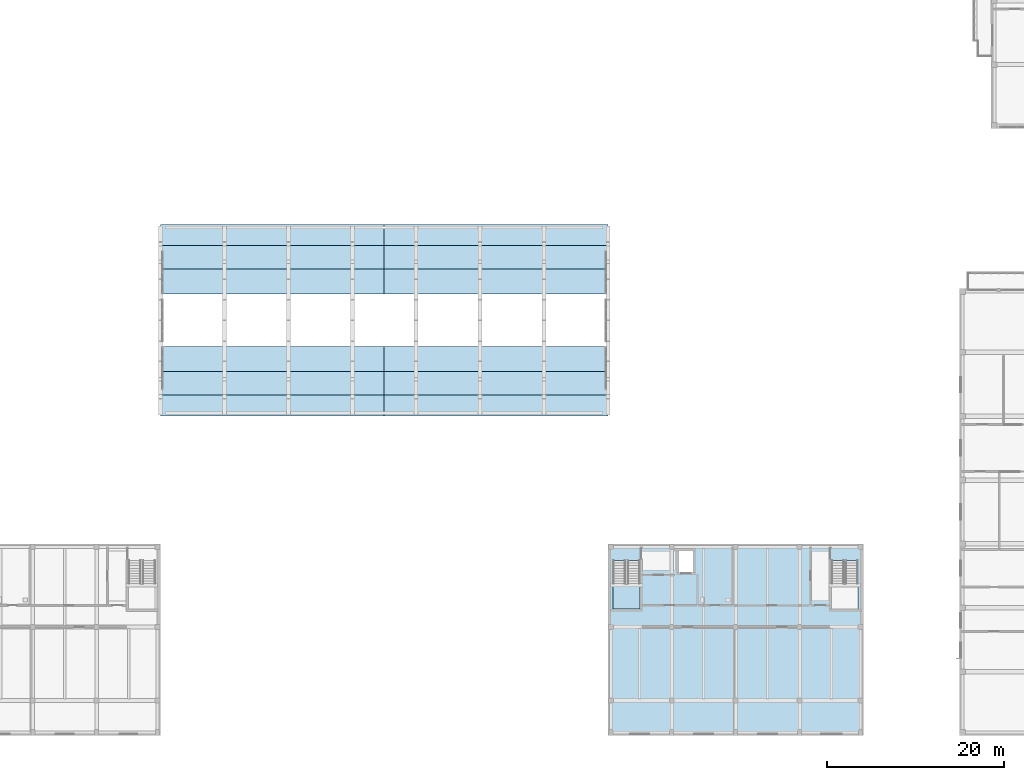
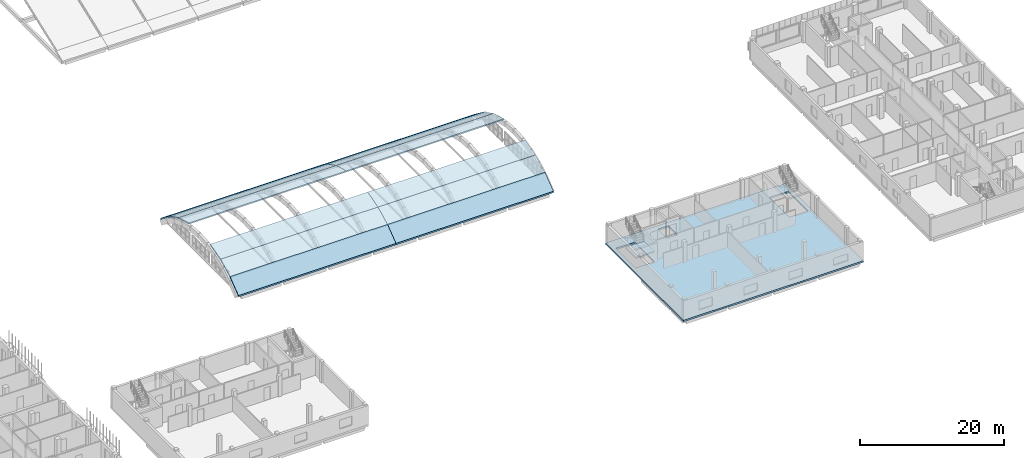
# One storey, part 30 of 73: 14 slabs, 2 elements without a shape of their own.
"""IFC4 building model written with IfcOpenShell, lengths in metres."""

from ifc_helpers import new_model, si_unit, derived_unit, direction, frame, origin, place, context, subcontext, project, spatial, polyline, outline, extrude, material, layer, layer_set, type_object, element, aggregate, save


model = new_model("IFC4")

# Units and contexts
model_context = context("Model", 3, precision=1e-05, world=origin(), true_north=direction((0.0, 1.0)))
body_context = subcontext(model_context, "Body", "Model", "MODEL_VIEW")
ifc_project = project(units=[si_unit("LENGTHUNIT", "METRE"), si_unit("AREAUNIT", "SQUARE_METRE"), si_unit("VOLUMEUNIT", "CUBIC_METRE"), si_unit("PLANEANGLEUNIT", "RADIAN"), si_unit("MASSUNIT", "GRAM", prefix="KILO"), derived_unit("THERMALTRANSMITTANCEUNIT", [(si_unit("MASSUNIT", "GRAM", prefix="KILO"), 1), (si_unit("TIMEUNIT", "SECOND"), -3), (si_unit("THERMODYNAMICTEMPERATUREUNIT", "KELVIN"), -1)])], contexts=[model_context])

# Site, building, storey
site_placement = place(None, origin())
site = spatial("IfcSite", under=ifc_project, at=site_placement, CompositionType="ELEMENT")
building_placement = place(site_placement, origin())
building = spatial("IfcBuilding", under=site, at=building_placement, Name="Ochrekiln Boulevard Commons", CompositionType="ELEMENT")
storey_placement = place(building_placement, frame((0.0, 0.0, 8.574951171875)))
storey = spatial("IfcBuildingStorey", under=building, at=storey_placement, Name="L02", CompositionType="ELEMENT", Elevation=8.574951171875)

# Slab
ifc_material = material(Name="Concrete C35/45", Category="concrete")
ifc_layer_1 = layer(ifc_material, 0.27490234375)
ifc_layer_set_1 = layer_set([ifc_layer_1], Name="Concrete C35/45")
slab_type_1 = type_object("IfcSlabType", Name="SLB-ARC-275", PredefinedType="FLOOR", material=ifc_layer_set_1)
slab_1_placement = place(storey_placement, frame((0.0, 0.0, -0.27490234375)))
element("IfcSlab", 1, at=slab_1_placement, inside=storey, type_object=slab_type_1, Name="East Boulevard Arcade L02 Floor Slab", PredefinedType="FLOOR", context=body_context, shape_type="SweptSolid", body=[
    extrude(outline(polyline([(108.0, 0.0), (136.800048828125, 0.0), (136.800048828125, 21.60009765625), (108.0, 21.60009765625), (108.0, 0.0)]), holes=[polyline([(108.60009765625, 19.7294921875), (108.60009765625, 14.280029296875), (111.60009765625, 14.280029296875), (111.60009765625, 19.7294921875), (108.60009765625, 19.7294921875)]), polyline([(133.199951171875, 19.7294921875), (133.199951171875, 14.280029296875), (136.199951171875, 14.280029296875), (136.199951171875, 19.7294921875), (133.199951171875, 19.7294921875)]), polyline([(115.949951171875, 18.35009765625), (117.64990234375, 18.35009765625), (117.64990234375, 20.85009765625), (115.949951171875, 20.85009765625), (115.949951171875, 18.35009765625)])]), origin(), (0.0, 0.0, 1.0), 0.27490234375),
])

# Stair, slab
stair_type = type_object("IfcStairType", Name="STR-DL-350", PredefinedType="TWO_STRAIGHT_RUN_STAIR", material=ifc_material)
stair_placement = place(storey_placement, origin())
stair = element("IfcStair", 2, at=stair_placement, inside=storey, type_object=stair_type, Name="L02 Enclosed Exit Stair ST-E1", PredefinedType="TWO_STRAIGHT_RUN_STAIR")
ifc_layer_2 = layer(ifc_material, 0.199951171875)
ifc_layer_set_2 = layer_set([ifc_layer_2], Name="Concrete C35/45")
slab_type_2 = type_object("IfcSlabType", Name="SLB-LND-200", PredefinedType="LANDING", material=ifc_layer_set_2)
slab_2_placement = place(storey_placement, frame((0.0, 0.0, 1.550048828125)))
slab_2 = element("IfcSlab", 3, at=slab_2_placement, type_object=slab_type_2, Name="ST-E1 landing 1", PredefinedType="LANDING", context=body_context, shape_type="SweptSolid", body=[
    extrude(outline(polyline([(108.60009765625, 17.1201171875), (108.60009765625, 14.280029296875), (111.60009765625, 14.280029296875), (111.60009765625, 17.1201171875), (108.60009765625, 17.1201171875)])), origin(), (0.0, 0.0, 1.0), 0.199951171875),
])
aggregate(stair, [slab_2])

# Roof, slabs
roof_type = type_object("IfcRoofType", Name="ROOF-BARREL", PredefinedType="BARREL_ROOF", material=ifc_material)
roof_placement = place(storey_placement, origin())
roof = element("IfcRoof", 4, at=roof_placement, inside=storey, type_object=roof_type, Name="Community Hall Seven-Bay Reinforced Concrete Barrel-Vault Roof", PredefinedType="BARREL_ROOF")
ifc_layer_3 = layer(ifc_material, 0.199951171875)
ifc_layer_set_3 = layer_set([ifc_layer_3], Name="Concrete C35/45")
slab_type_3 = type_object("IfcSlabType", Name="SLB-VAULT-200", PredefinedType="ROOF", material=ifc_layer_set_3)
slab_3_placement = place(storey_placement, frame((57.60009765625, 36.0, 0.0), z_axis=(1.0, 0.0, 0.0), x_axis=(0.0, 1.0, 0.0)))
slab_3 = element("IfcSlab", 5, at=slab_3_placement, type_object=slab_type_3, Name="Community Hall Barrel Vault Shell Facet 1.1", PredefinedType="ROOF", context=body_context, shape_type="SweptSolid", body=[
    extrude(outline(polyline([(0.0, 0.0), (2.3583984375, 1.789306640625), (2.3583984375, 1.538330078125), (0.0, -0.2509765625), (0.0, 0.0)])), origin(), (0.0, 0.0, 1.0), 25.199951171875),
])
slab_4_placement = place(storey_placement, frame((57.60009765625, 38.3583984375, 1.789306640625), z_axis=(1.0, 0.0, 0.0), x_axis=(0.0, 1.0, 0.0)))
slab_4 = element("IfcSlab", 6, at=slab_4_placement, type_object=slab_type_3, Name="Community Hall Barrel Vault Shell Facet 1.2", PredefinedType="ROOF", context=body_context, shape_type="SweptSolid", body=[
    extrude(outline(polyline([(0.0, 0.0), (2.647705078125, 1.32373046875), (2.647705078125, 1.10009765625), (0.0, -0.2236328125), (0.0, 0.0)])), origin(), (0.0, 0.0, 1.0), 25.199951171875),
])
slab_5_placement = place(storey_placement, frame((57.60009765625, 41.006103515625, 3.113037109375), z_axis=(1.0, 0.0, 0.0), x_axis=(0.0, 1.0, 0.0)))
slab_5 = element("IfcSlab", 7, at=slab_5_placement, type_object=slab_type_3, Name="Community Hall Barrel Vault Shell Facet 1.3", PredefinedType="ROOF", context=body_context, shape_type="SweptSolid", body=[
    extrude(outline(polyline([(0.0, 0.0), (2.846435546875, 0.81298828125), (2.846435546875, 0.60498046875), (0.0, -0.2080078125), (0.0, 0.0)])), origin(), (0.0, 0.0, 1.0), 25.199951171875),
])
slab_6_placement = place(storey_placement, frame((57.60009765625, 49.74755859375, 3.926025390625), z_axis=(1.0, 0.0, 0.0), x_axis=(0.0, 1.0, 0.0)))
slab_6 = element("IfcSlab", 8, at=slab_6_placement, type_object=slab_type_3, Name="Community Hall Barrel Vault Shell Facet 1.6", PredefinedType="ROOF", context=body_context, shape_type="SweptSolid", body=[
    extrude(outline(polyline([(0.0, 0.0), (2.846435546875, -0.81298828125), (2.846435546875, -1.02099609375), (0.0, -0.2080078125), (0.0, 0.0)])), origin(), (0.0, 0.0, 1.0), 25.199951171875),
])
slab_7_placement = place(storey_placement, frame((57.60009765625, 52.593994140625, 3.113037109375), z_axis=(1.0, 0.0, 0.0), x_axis=(0.0, 1.0, 0.0)))
slab_7 = element("IfcSlab", 9, at=slab_7_placement, type_object=slab_type_3, Name="Community Hall Barrel Vault Shell Facet 1.7", PredefinedType="ROOF", context=body_context, shape_type="SweptSolid", body=[
    extrude(outline(polyline([(0.0, 0.0), (2.647705078125, -1.32373046875), (2.647705078125, -1.54736328125), (0.0, -0.2236328125), (0.0, 0.0)])), origin(), (0.0, 0.0, 1.0), 25.199951171875),
])
slab_8_placement = place(storey_placement, frame((57.60009765625, 55.24169921875, 1.789306640625), z_axis=(1.0, 0.0, 0.0), x_axis=(0.0, 1.0, 0.0)))
slab_8 = element("IfcSlab", 10, at=slab_8_placement, type_object=slab_type_3, Name="Community Hall Barrel Vault Shell Facet 1.8", PredefinedType="ROOF", context=body_context, shape_type="SweptSolid", body=[
    extrude(outline(polyline([(0.0, 0.0), (2.3583984375, -1.789306640625), (2.3583984375, -2.040283203125), (0.0, -0.2509765625), (0.0, 0.0)])), origin(), (0.0, 0.0, 1.0), 25.199951171875),
])
slab_9_placement = place(storey_placement, frame((82.800048828125, 36.0, 0.0), z_axis=(1.0, 0.0, 0.0), x_axis=(0.0, 1.0, 0.0)))
slab_9 = element("IfcSlab", 11, at=slab_9_placement, type_object=slab_type_3, Name="Community Hall Barrel Vault Shell Facet 2.1", PredefinedType="ROOF", context=body_context, shape_type="SweptSolid", body=[
    extrude(outline(polyline([(0.0, 0.0), (2.3583984375, 1.789306640625), (2.3583984375, 1.538330078125), (0.0, -0.2509765625), (0.0, 0.0)])), origin(), (0.0, 0.0, 1.0), 25.199951171875),
])
slab_10_placement = place(storey_placement, frame((82.800048828125, 38.3583984375, 1.789306640625), z_axis=(1.0, 0.0, 0.0), x_axis=(0.0, 1.0, 0.0)))
slab_10 = element("IfcSlab", 12, at=slab_10_placement, type_object=slab_type_3, Name="Community Hall Barrel Vault Shell Facet 2.2", PredefinedType="ROOF", context=body_context, shape_type="SweptSolid", body=[
    extrude(outline(polyline([(0.0, 0.0), (2.647705078125, 1.32373046875), (2.647705078125, 1.10009765625), (0.0, -0.2236328125), (0.0, 0.0)])), origin(), (0.0, 0.0, 1.0), 25.199951171875),
])
slab_11_placement = place(storey_placement, frame((82.800048828125, 41.006103515625, 3.113037109375), z_axis=(1.0, 0.0, 0.0), x_axis=(0.0, 1.0, 0.0)))
slab_11 = element("IfcSlab", 13, at=slab_11_placement, type_object=slab_type_3, Name="Community Hall Barrel Vault Shell Facet 2.3", PredefinedType="ROOF", context=body_context, shape_type="SweptSolid", body=[
    extrude(outline(polyline([(0.0, 0.0), (2.846435546875, 0.81298828125), (2.846435546875, 0.60498046875), (0.0, -0.2080078125), (0.0, 0.0)])), origin(), (0.0, 0.0, 1.0), 25.199951171875),
])
slab_12_placement = place(storey_placement, frame((82.800048828125, 49.74755859375, 3.926025390625), z_axis=(1.0, 0.0, 0.0), x_axis=(0.0, 1.0, 0.0)))
slab_12 = element("IfcSlab", 14, at=slab_12_placement, type_object=slab_type_3, Name="Community Hall Barrel Vault Shell Facet 2.6", PredefinedType="ROOF", context=body_context, shape_type="SweptSolid", body=[
    extrude(outline(polyline([(0.0, 0.0), (2.846435546875, -0.81298828125), (2.846435546875, -1.02099609375), (0.0, -0.2080078125), (0.0, 0.0)])), origin(), (0.0, 0.0, 1.0), 25.199951171875),
])
slab_13_placement = place(storey_placement, frame((82.800048828125, 52.593994140625, 3.113037109375), z_axis=(1.0, 0.0, 0.0), x_axis=(0.0, 1.0, 0.0)))
slab_13 = element("IfcSlab", 15, at=slab_13_placement, type_object=slab_type_3, Name="Community Hall Barrel Vault Shell Facet 2.7", PredefinedType="ROOF", context=body_context, shape_type="SweptSolid", body=[
    extrude(outline(polyline([(0.0, 0.0), (2.647705078125, -1.32373046875), (2.647705078125, -1.54736328125), (0.0, -0.2236328125), (0.0, 0.0)])), origin(), (0.0, 0.0, 1.0), 25.199951171875),
])
slab_14_placement = place(storey_placement, frame((82.800048828125, 55.24169921875, 1.789306640625), z_axis=(1.0, 0.0, 0.0), x_axis=(0.0, 1.0, 0.0)))
slab_14 = element("IfcSlab", 16, at=slab_14_placement, type_object=slab_type_3, Name="Community Hall Barrel Vault Shell Facet 2.8", PredefinedType="ROOF", context=body_context, shape_type="SweptSolid", body=[
    extrude(outline(polyline([(0.0, 0.0), (2.3583984375, -1.789306640625), (2.3583984375, -2.040283203125), (0.0, -0.2509765625), (0.0, 0.0)])), origin(), (0.0, 0.0, 1.0), 25.199951171875),
])
aggregate(roof, [slab_3, slab_4, slab_5, slab_6, slab_7, slab_8, slab_9, slab_10, slab_11, slab_12, slab_13, slab_14])

save(model, "model.ifc")
